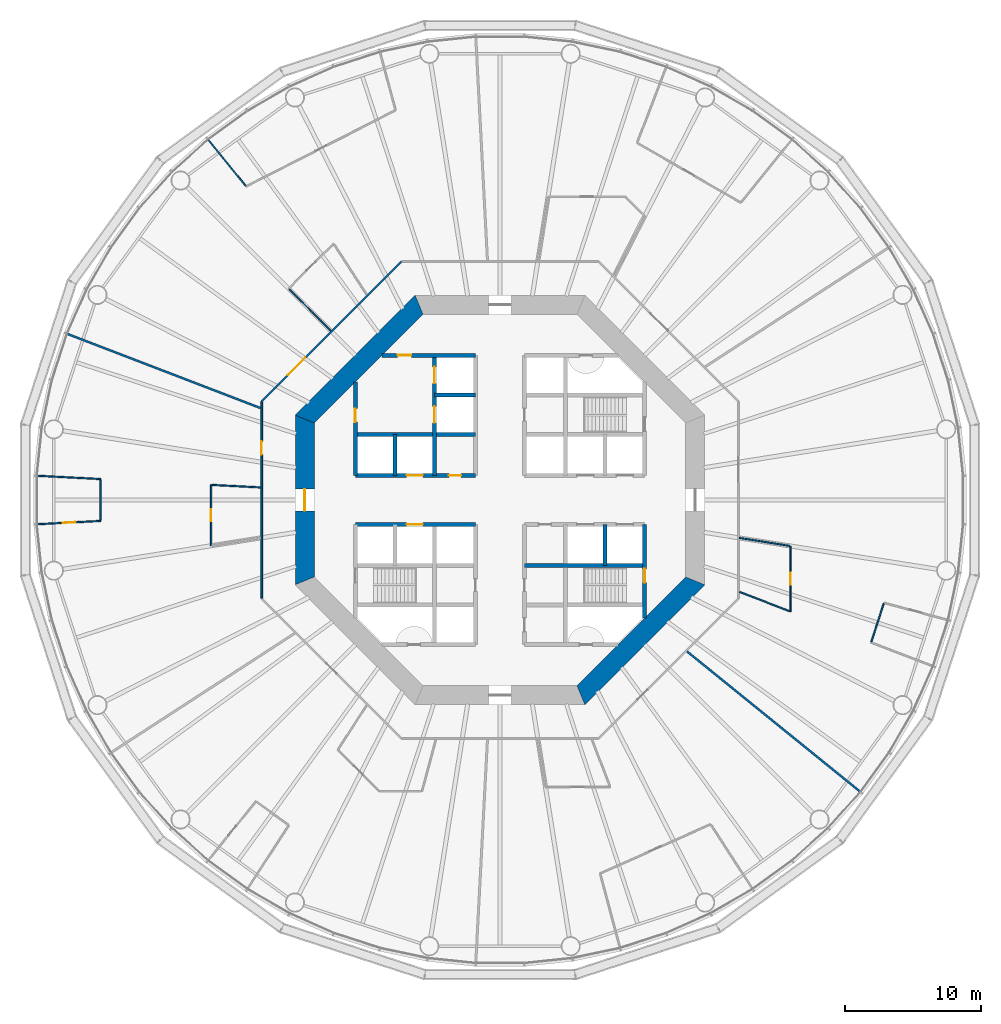
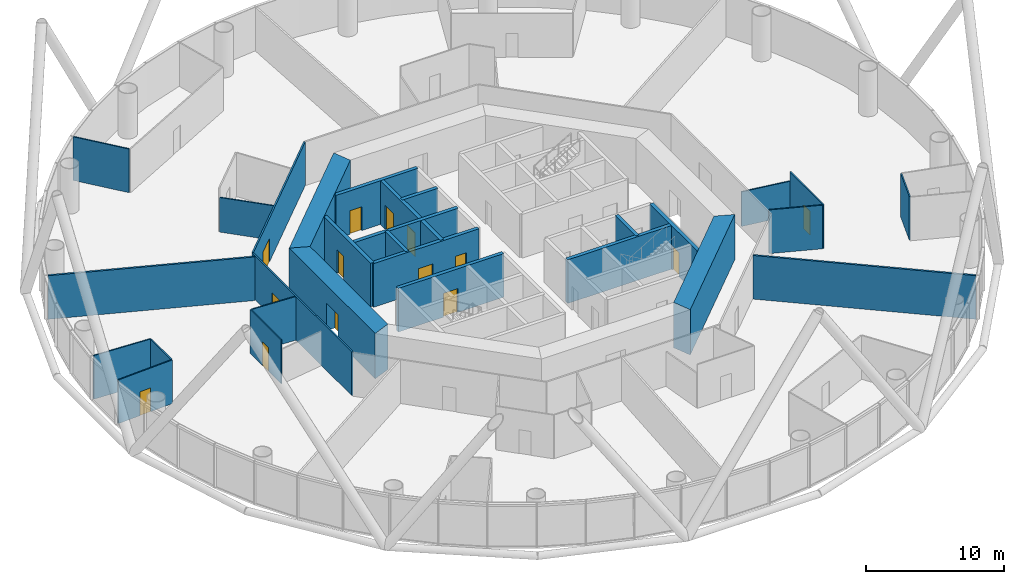
# One storey, part 4 of 13: 29 walls, 14 doors, 14 openings.
"""IFC4 building model written with IfcOpenShell, lengths in metres."""

from ifc_helpers import new_model, si_unit, direction, frame, frame_2d, origin, place, context, subcontext, project, spatial, polyline, rectangle, outline, extrude, material, layer, layer_set, type_object, element, fill, save


model = new_model("IFC4")

# Units and contexts
model_context = context("Model", 3, precision=1e-05, world=origin(), true_north=direction((0.0, 1.0)))
body_context = subcontext(model_context, "Body", "Model", "MODEL_VIEW")
ifc_project = project(units=[si_unit("LENGTHUNIT", "METRE"), si_unit("AREAUNIT", "SQUARE_METRE"), si_unit("VOLUMEUNIT", "CUBIC_METRE"), si_unit("PLANEANGLEUNIT", "RADIAN"), si_unit("MASSUNIT", "GRAM", prefix="KILO")], contexts=[model_context])

# Site, building, storey
site_placement = place(None, origin())
site = spatial("IfcSite", under=ifc_project, at=site_placement, CompositionType="ELEMENT")
building_placement = place(site_placement, origin())
building = spatial("IfcBuilding", under=site, at=building_placement, Name="Entoto Ring Tower", CompositionType="ELEMENT")
storey_placement = place(building_placement, frame((0.0, 0.0, 38.0)))
storey = spatial("IfcBuildingStorey", under=building, at=storey_placement, Name="L07", CompositionType="ELEMENT", Elevation=38.0)

# Wall, opening, door
ifc_material_1 = material(Name="Concrete C40/50", Category="concrete")
ifc_layer_1 = layer(ifc_material_1, 0.300048828125)
ifc_layer_set_1 = layer_set([ifc_layer_1], Name="Concrete C40/50")
wall_type_1 = type_object("IfcWallType", Name="Core enclosure wall 300 mm reinforced concrete", PredefinedType="SOLIDWALL", material=ifc_layer_set_1)
wall_1_placement = place(storey_placement, frame((100.60009765625, 71.36669921875, 0.0), z_axis=(0.0, 0.0, 1.0), x_axis=(0.0, 1.0, 0.0)))
wall_1 = element("IfcWall", 1, at=wall_1_placement, inside=storey, type_object=wall_type_1, Name="wall-L07-001", PredefinedType="SOLIDWALL", context=body_context, shape_type="SweptSolid", body=[
    extrude(rectangle(XDim=6.833251953125, YDim=0.300048828125, at=frame_2d((3.41650390625, 0.0))), origin(), (0.0, 0.0, 1.0), 3.85009765625),
])
opening_1_placement = place(wall_1_placement, frame((2.583251953125, 0.0, 0.0)))
opening_1 = element("IfcOpeningElement", 2, at=opening_1_placement, cuts=wall_1, Name="Opening K-61", PredefinedType="OPENING", context=body_context, shape_type="SweptSolid", body=[
    extrude(rectangle(XDim=1.0, YDim=2.10009765625, at=frame_2d((0.5, 1.050048828125))), frame((0.0, 0.16015625, 0.0), z_axis=(0.0, -1.0, 0.0), x_axis=(1.0, 0.0, 0.0)), (0.0, 0.0, 1.0), 0.320068359375),
])
ifc_material_2 = material(Name="Steel door leaf, fire rated", Category="steel")
ifc_layer_2 = layer(ifc_material_2, 0.050048828125)
ifc_layer_set_2 = layer_set([ifc_layer_2], Name="Steel door leaf, fire rated")
door_type_1 = type_object("IfcDoorType", Name="Fire door FD60 1000 x 2100 single leaf", OperationType="NOTDEFINED", PredefinedType="DOOR", material=ifc_layer_set_2)
door_1_placement = place(opening_1_placement, origin())
door_1 = element("IfcDoor", 3, at=door_1_placement, inside=storey, type_object=door_type_1, Name="Door K-61", OperationType="SINGLE_SWING_RIGHT", OverallHeight=2.10009765625, OverallWidth=1.0, PredefinedType="DOOR", context=body_context, shape_type="SweptSolid", body=[
    extrude(rectangle(XDim=1.0, YDim=2.10009765625, at=frame_2d((0.5, 1.050048828125))), frame((0.0, 0.02490234375, 0.0), z_axis=(0.0, -1.0, 0.0), x_axis=(1.0, 0.0, 0.0)), (0.0, 0.0, 1.0), 0.050048828125),
])
fill(opening_1, door_1)

# Wall
wall_2_placement = place(storey_placement, frame((97.699951171875, 75.199951171875, 0.0), z_axis=(0.0, 0.0, 1.0), x_axis=(0.0, 1.0, 0.0)))
element("IfcWall", 4, at=wall_2_placement, inside=storey, type_object=wall_type_1, Name="wall-L07-003", PredefinedType="SOLIDWALL", context=body_context, shape_type="SweptSolid", body=[
    extrude(rectangle(XDim=3.0, YDim=0.300048828125, at=frame_2d((1.5, 0.0))), origin(), (0.0, 0.0, 1.0), 3.85009765625),
])

# Wall, openings, doors
wall_3_placement = place(storey_placement, frame((85.199951171875, 81.800048828125, 0.0), z_axis=(0.0, 0.0, 1.0), x_axis=(0.0, 1.0, 0.0)))
wall_3 = element("IfcWall", 5, at=wall_3_placement, inside=storey, type_object=wall_type_1, Name="wall-L07-012", PredefinedType="SOLIDWALL", context=body_context, shape_type="SweptSolid", body=[
    extrude(rectangle(XDim=8.800048828125, YDim=0.300048828125, at=frame_2d((4.39990234375, 0.0))), origin(), (0.0, 0.0, 1.0), 3.85009765625),
])
opening_2_placement = place(wall_3_placement, frame((3.85009765625, 0.0, 0.0)))
opening_2 = element("IfcOpeningElement", 6, at=opening_2_placement, cuts=wall_3, Name="Opening LD", PredefinedType="OPENING", context=body_context, shape_type="SweptSolid", body=[
    extrude(rectangle(XDim=1.199951171875, YDim=2.10009765625, at=frame_2d((0.60009765625, 1.050048828125))), frame((0.0, 0.16015625, 0.0), z_axis=(0.0, -1.0, 0.0), x_axis=(1.0, 0.0, 0.0)), (0.0, 0.0, 1.0), 0.320068359375),
])
opening_3_placement = place(wall_3_placement, frame((6.75, 0.0, 0.0)))
opening_3 = element("IfcOpeningElement", 7, at=opening_3_placement, cuts=wall_3, Name="Opening LD", PredefinedType="OPENING", context=body_context, shape_type="SweptSolid", body=[
    extrude(rectangle(XDim=1.199951171875, YDim=2.10009765625, at=frame_2d((0.60009765625, 1.050048828125))), frame((0.0, 0.16015625, 0.0), z_axis=(0.0, -1.0, 0.0), x_axis=(1.0, 0.0, 0.0)), (0.0, 0.0, 1.0), 0.320068359375),
])
ifc_material_3 = material(Name="Steel and glass door leaf", Category="steel")
ifc_layer_3 = layer(ifc_material_3, 0.050048828125)
ifc_layer_set_3 = layer_set([ifc_layer_3], Name="Steel and glass door leaf")
door_type_2 = type_object("IfcDoorType", Name="Landing door 1200 x 2100 sliding", OperationType="DOUBLE_DOOR_SLIDING", PredefinedType="DOOR", material=ifc_layer_set_3)
door_2_placement = place(opening_2_placement, origin())
door_2 = element("IfcDoor", 8, at=door_2_placement, inside=storey, type_object=door_type_2, Name="Landing door FF1", OperationType="SLIDING_TO_RIGHT", OverallHeight=2.10009765625, OverallWidth=1.199951171875, PredefinedType="DOOR", context=body_context, shape_type="SweptSolid", body=[
    extrude(rectangle(XDim=1.199951171875, YDim=2.10009765625, at=frame_2d((0.60009765625, 1.050048828125))), frame((0.0, 0.02490234375, 0.0), z_axis=(0.0, -1.0, 0.0), x_axis=(1.0, 0.0, 0.0)), (0.0, 0.0, 1.0), 0.050048828125),
])
fill(opening_2, door_2)
door_3_placement = place(opening_3_placement, origin())
door_3 = element("IfcDoor", 9, at=door_3_placement, inside=storey, type_object=door_type_2, Name="Landing door FF2", OperationType="SLIDING_TO_RIGHT", OverallHeight=2.10009765625, OverallWidth=1.199951171875, PredefinedType="DOOR", context=body_context, shape_type="SweptSolid", body=[
    extrude(rectangle(XDim=1.199951171875, YDim=2.10009765625, at=frame_2d((0.60009765625, 1.050048828125))), frame((0.0, 0.02490234375, 0.0), z_axis=(0.0, -1.0, 0.0), x_axis=(1.0, 0.0, 0.0)), (0.0, 0.0, 1.0), 0.050048828125),
])
fill(opening_3, door_3)

# Wall
wall_4_placement = place(storey_placement, frame((82.300048828125, 81.800048828125, 0.0), z_axis=(0.0, 0.0, 1.0), x_axis=(0.0, 1.0, 0.0)))
element("IfcWall", 10, at=wall_4_placement, inside=storey, type_object=wall_type_1, Name="wall-L07-014", PredefinedType="SOLIDWALL", context=body_context, shape_type="SweptSolid", body=[
    extrude(rectangle(XDim=3.0, YDim=0.300048828125, at=frame_2d((1.5, 0.0))), origin(), (0.0, 0.0, 1.0), 3.85009765625),
])

# Wall, opening, door
wall_5_placement = place(storey_placement, frame((79.39990234375, 81.800048828125, 0.0), z_axis=(0.0, 0.0, 1.0), x_axis=(0.0, 1.0, 0.0)))
wall_5 = element("IfcWall", 11, at=wall_5_placement, inside=storey, type_object=wall_type_1, Name="wall-L07-016", PredefinedType="SOLIDWALL", context=body_context, shape_type="SweptSolid", body=[
    extrude(rectangle(XDim=6.833251953125, YDim=0.300048828125, at=frame_2d((3.41650390625, 0.0))), origin(), (0.0, 0.0, 1.0), 3.85009765625),
])
opening_4_placement = place(wall_5_placement, frame((3.89990234375, 0.0, 0.0)))
opening_4 = element("IfcOpeningElement", 12, at=opening_4_placement, cuts=wall_5, Name="Opening K-23", PredefinedType="OPENING", context=body_context, shape_type="SweptSolid", body=[
    extrude(rectangle(XDim=1.0, YDim=2.10009765625, at=frame_2d((0.5, 1.050048828125))), frame((0.0, 0.16015625, 0.0), z_axis=(0.0, -1.0, 0.0), x_axis=(1.0, 0.0, 0.0)), (0.0, 0.0, 1.0), 0.320068359375),
])
door_4_placement = place(opening_4_placement, frame((1.0, 0.0, 0.0), z_axis=(0.0, 0.0, 1.0), x_axis=(-1.0, 0.0, 0.0)))
door_4 = element("IfcDoor", 13, at=door_4_placement, inside=storey, type_object=door_type_1, Name="Door K-23", OperationType="SINGLE_SWING_LEFT", OverallHeight=2.10009765625, OverallWidth=1.0, PredefinedType="DOOR", context=body_context, shape_type="SweptSolid", body=[
    extrude(rectangle(XDim=1.0, YDim=2.10009765625, at=frame_2d((0.5, 1.050048828125))), frame((0.0, 0.02490234375, 0.0), z_axis=(0.0, -1.0, 0.0), x_axis=(1.0, 0.0, 0.0)), (0.0, 0.0, 1.0), 0.050048828125),
])
fill(opening_4, door_4)

# Wall
wall_6_placement = place(storey_placement, frame((91.800048828125, 75.199951171875, 0.0), z_axis=(0.0, 0.0, 1.0), x_axis=(1.0, 0.0, 0.0)))
element("IfcWall", 14, at=wall_6_placement, inside=storey, type_object=wall_type_1, Name="wall-L07-022", PredefinedType="SOLIDWALL", context=body_context, shape_type="SweptSolid", body=[
    extrude(rectangle(XDim=8.800048828125, YDim=0.300048828125, at=frame_2d((4.39990234375, 0.0))), origin(), (0.0, 0.0, 1.0), 3.85009765625),
])

# Wall, opening, door
wall_7_placement = place(storey_placement, frame((79.39990234375, 78.199951171875, 0.0), z_axis=(0.0, 0.0, 1.0), x_axis=(1.0, 0.0, 0.0)))
wall_7 = element("IfcWall", 15, at=wall_7_placement, inside=storey, type_object=wall_type_1, Name="wall-L07-023", PredefinedType="SOLIDWALL", context=body_context, shape_type="SweptSolid", body=[
    extrude(rectangle(XDim=8.800048828125, YDim=0.300048828125, at=frame_2d((4.39990234375, 0.0))), origin(), (0.0, 0.0, 1.0), 3.85009765625),
])
opening_5_placement = place(wall_7_placement, frame((3.75, 0.0, 0.0)))
opening_5 = element("IfcOpeningElement", 16, at=opening_5_placement, cuts=wall_7, Name="Opening LD", PredefinedType="OPENING", context=body_context, shape_type="SweptSolid", body=[
    extrude(rectangle(XDim=1.199951171875, YDim=2.10009765625, at=frame_2d((0.60009765625, 1.050048828125))), frame((0.0, 0.16015625, 0.0), z_axis=(0.0, -1.0, 0.0), x_axis=(1.0, 0.0, 0.0)), (0.0, 0.0, 1.0), 0.320068359375),
])
door_5_placement = place(opening_5_placement, origin())
door_5 = element("IfcDoor", 17, at=door_5_placement, inside=storey, type_object=door_type_2, Name="Landing door LB6-LR", OperationType="SLIDING_TO_RIGHT", OverallHeight=2.10009765625, OverallWidth=1.199951171875, PredefinedType="DOOR", context=body_context, shape_type="SweptSolid", body=[
    extrude(rectangle(XDim=1.199951171875, YDim=2.10009765625, at=frame_2d((0.60009765625, 1.050048828125))), frame((0.0, 0.02490234375, 0.0), z_axis=(0.0, -1.0, 0.0), x_axis=(1.0, 0.0, 0.0)), (0.0, 0.0, 1.0), 0.050048828125),
])
fill(opening_5, door_5)

# Wall, openings, doors
wall_8_placement = place(storey_placement, frame((79.39990234375, 81.800048828125, 0.0), z_axis=(0.0, 0.0, 1.0), x_axis=(1.0, 0.0, 0.0)))
wall_8 = element("IfcWall", 18, at=wall_8_placement, inside=storey, type_object=wall_type_1, Name="wall-L07-025", PredefinedType="SOLIDWALL", context=body_context, shape_type="SweptSolid", body=[
    extrude(rectangle(XDim=8.800048828125, YDim=0.300048828125, at=frame_2d((4.39990234375, 0.0))), origin(), (0.0, 0.0, 1.0), 3.85009765625),
])
opening_6_placement = place(wall_8_placement, frame((3.75, 0.0, 0.0)))
opening_6 = element("IfcOpeningElement", 19, at=opening_6_placement, cuts=wall_8, Name="Opening LD", PredefinedType="OPENING", context=body_context, shape_type="SweptSolid", body=[
    extrude(rectangle(XDim=1.199951171875, YDim=2.10009765625, at=frame_2d((0.60009765625, 1.050048828125))), frame((0.0, 0.16015625, 0.0), z_axis=(0.0, -1.0, 0.0), x_axis=(1.0, 0.0, 0.0)), (0.0, 0.0, 1.0), 0.320068359375),
])
opening_7_placement = place(wall_8_placement, frame((6.85009765625, 0.0, 0.0)))
opening_7 = element("IfcOpeningElement", 20, at=opening_7_placement, cuts=wall_8, Name="Opening K-15", PredefinedType="OPENING", context=body_context, shape_type="SweptSolid", body=[
    extrude(rectangle(XDim=0.89990234375, YDim=2.10009765625, at=frame_2d((0.449951171875, 1.050048828125))), frame((0.0, 0.16015625, 0.0), z_axis=(0.0, -1.0, 0.0), x_axis=(1.0, 0.0, 0.0)), (0.0, 0.0, 1.0), 0.320068359375),
])
ifc_material_4 = material(Name="Steel door leaf, fire rated", Category="steel")
ifc_layer_4 = layer(ifc_material_4, 0.050048828125)
ifc_layer_set_4 = layer_set([ifc_layer_4], Name="Steel door leaf, fire rated")
door_type_3 = type_object("IfcDoorType", Name="Core door 900 x 2100 single leaf", OperationType="NOTDEFINED", PredefinedType="DOOR", material=ifc_layer_set_4)
door_6_placement = place(opening_7_placement, frame((0.89990234375, 0.0, 0.0), z_axis=(0.0, 0.0, 1.0), x_axis=(-1.0, 0.0, 0.0)))
door_6 = element("IfcDoor", 21, at=door_6_placement, inside=storey, type_object=door_type_3, Name="Door K-15", OperationType="SINGLE_SWING_RIGHT", OverallHeight=2.10009765625, OverallWidth=0.89990234375, PredefinedType="DOOR", context=body_context, shape_type="SweptSolid", body=[
    extrude(rectangle(XDim=0.89990234375, YDim=2.10009765625, at=frame_2d((0.449951171875, 1.050048828125))), frame((0.0, 0.02490234375, 0.0), z_axis=(0.0, -1.0, 0.0), x_axis=(1.0, 0.0, 0.0)), (0.0, 0.0, 1.0), 0.050048828125),
])
fill(opening_7, door_6)
door_7_placement = place(opening_6_placement, origin())
door_7 = element("IfcDoor", 22, at=door_7_placement, inside=storey, type_object=door_type_2, Name="Landing door LB3-LR", OperationType="SLIDING_TO_RIGHT", OverallHeight=2.10009765625, OverallWidth=1.199951171875, PredefinedType="DOOR", context=body_context, shape_type="SweptSolid", body=[
    extrude(rectangle(XDim=1.199951171875, YDim=2.10009765625, at=frame_2d((0.60009765625, 1.050048828125))), frame((0.0, 0.02490234375, 0.0), z_axis=(0.0, -1.0, 0.0), x_axis=(1.0, 0.0, 0.0)), (0.0, 0.0, 1.0), 0.050048828125),
])
fill(opening_6, door_7)

# Walls
wall_9_placement = place(storey_placement, frame((79.39990234375, 84.800048828125, 0.0), z_axis=(0.0, 0.0, 1.0), x_axis=(1.0, 0.0, 0.0)))
element("IfcWall", 23, at=wall_9_placement, inside=storey, type_object=wall_type_1, Name="wall-L07-027", PredefinedType="SOLIDWALL", context=body_context, shape_type="SweptSolid", body=[
    extrude(rectangle(XDim=8.800048828125, YDim=0.300048828125, at=frame_2d((4.39990234375, 0.0))), origin(), (0.0, 0.0, 1.0), 3.85009765625),
])
wall_10_placement = place(storey_placement, frame((85.199951171875, 87.699951171875, 0.0), z_axis=(0.0, 0.0, 1.0), x_axis=(1.0, 0.0, 0.0)))
element("IfcWall", 24, at=wall_10_placement, inside=storey, type_object=wall_type_1, Name="wall-L07-029", PredefinedType="SOLIDWALL", context=body_context, shape_type="SweptSolid", body=[
    extrude(rectangle(XDim=3.0, YDim=0.300048828125, at=frame_2d((1.5, 0.0))), origin(), (0.0, 0.0, 1.0), 3.85009765625),
])

# Wall, opening, door
wall_11_placement = place(storey_placement, frame((81.36669921875, 90.60009765625, 0.0), z_axis=(0.0, 0.0, 1.0), x_axis=(1.0, 0.0, 0.0)))
wall_11 = element("IfcWall", 25, at=wall_11_placement, inside=storey, type_object=wall_type_1, Name="wall-L07-031", PredefinedType="SOLIDWALL", context=body_context, shape_type="SweptSolid", body=[
    extrude(rectangle(XDim=6.833251953125, YDim=0.300048828125, at=frame_2d((3.41650390625, 0.0))), origin(), (0.0, 0.0, 1.0), 3.85009765625),
])
opening_8_placement = place(wall_11_placement, frame((1.13330078125, 0.0, 0.0)))
opening_8 = element("IfcOpeningElement", 26, at=opening_8_placement, cuts=wall_11, Name="Opening K-73", PredefinedType="OPENING", context=body_context, shape_type="SweptSolid", body=[
    extrude(rectangle(XDim=1.0, YDim=2.10009765625, at=frame_2d((0.5, 1.050048828125))), frame((0.0, 0.16015625, 0.0), z_axis=(0.0, -1.0, 0.0), x_axis=(1.0, 0.0, 0.0)), (0.0, 0.0, 1.0), 0.320068359375),
])
door_8_placement = place(opening_8_placement, frame((1.0, 0.0, 0.0), z_axis=(0.0, 0.0, 1.0), x_axis=(-1.0, 0.0, 0.0)))
door_8 = element("IfcDoor", 27, at=door_8_placement, inside=storey, type_object=door_type_1, Name="Door K-73", OperationType="SINGLE_SWING_RIGHT", OverallHeight=2.10009765625, OverallWidth=1.0, PredefinedType="DOOR", context=body_context, shape_type="SweptSolid", body=[
    extrude(rectangle(XDim=1.0, YDim=2.10009765625, at=frame_2d((0.5, 1.050048828125))), frame((0.0, 0.02490234375, 0.0), z_axis=(0.0, -1.0, 0.0), x_axis=(1.0, 0.0, 0.0)), (0.0, 0.0, 1.0), 0.050048828125),
])
fill(opening_8, door_8)

# Wall
ifc_material_5 = material(Name="Concrete C60/75", Category="concrete")
ifc_layer_5 = layer(ifc_material_5, 1.39990234375)
ifc_layer_set_5 = layer_set([ifc_layer_5], Name="Concrete C60/75")
wall_type_2 = type_object("IfcWallType", Name="Core shear wall 1400 mm reinforced concrete C60/75", PredefinedType="SHEAR", material=ifc_layer_set_5)
wall_12_placement = place(storey_placement, frame((84.07666015625, 94.300048828125, 0.0), z_axis=(0.0, 0.0, 1.0), x_axis=(-0.707106781187, -0.707106781187, 0.0)))
element("IfcWall", 28, at=wall_12_placement, inside=storey, type_object=wall_type_2, Name="wall-L07-core-3", PredefinedType="SHEAR", context=body_context, shape_type="SweptSolid", body=[
    extrude(outline(polyline([(-0.2900390625, -0.699951171875), (12.136474609375, -0.699951171875), (11.556396484375, 0.699951171875), (0.2900390625, 0.699951171875), (-0.2900390625, -0.699951171875)])), origin(), (0.0, 0.0, 1.0), 4.0),
])

# Wall, opening, door
wall_13_placement = place(storey_placement, frame((75.699951171875, 85.92333984375, 0.0), z_axis=(0.0, 0.0, 1.0), x_axis=(0.0, -1.0, 0.0)))
wall_13 = element("IfcWall", 29, at=wall_13_placement, inside=storey, type_object=wall_type_2, Name="wall-L07-core-4", PredefinedType="SHEAR", context=body_context, shape_type="SweptSolid", body=[
    extrude(outline(polyline([(-0.2900390625, -0.699951171875), (12.13671875, -0.699951171875), (11.556640625, 0.699951171875), (0.2900390625, 0.699951171875), (-0.2900390625, -0.699951171875)])), origin(), (0.0, 0.0, 1.0), 4.0),
])
opening_9_placement = place(wall_13_placement, frame((5.123291015625, 0.0, 0.0)))
opening_9 = element("IfcOpeningElement", 30, at=opening_9_placement, cuts=wall_13, Name="Opening K-03", PredefinedType="OPENING", context=body_context, shape_type="SweptSolid", body=[
    extrude(rectangle(XDim=1.60009765625, YDim=2.39990234375, at=frame_2d((0.800048828125, 1.199951171875))), frame((0.0, 0.7099609375, 0.0), z_axis=(0.0, -1.0, 0.0), x_axis=(1.0, 0.0, 0.0)), (0.0, 0.0, 1.0), 1.419921875),
])
ifc_material_6 = material(Name="Steel door leaf, fire rated", Category="steel")
ifc_layer_6 = layer(ifc_material_6, 0.050048828125)
ifc_layer_set_6 = layer_set([ifc_layer_6], Name="Steel door leaf, fire rated")
door_type_4 = type_object("IfcDoorType", Name="Entrance door FD60 1600 x 2400 double leaf", OperationType="DOUBLE_DOOR_SINGLE_SWING", PredefinedType="DOOR", material=ifc_layer_set_6)
door_9_placement = place(opening_9_placement, origin())
door_9 = element("IfcDoor", 31, at=door_9_placement, inside=storey, type_object=door_type_4, Name="Entrance door K-03", OperationType="DOUBLE_DOOR_SINGLE_SWING", OverallHeight=2.39990234375, OverallWidth=1.60009765625, PredefinedType="DOOR", context=body_context, shape_type="SweptSolid", body=[
    extrude(rectangle(XDim=1.60009765625, YDim=2.39990234375, at=frame_2d((0.800048828125, 1.199951171875))), frame((0.0, 0.02490234375, 0.0), z_axis=(0.0, -1.0, 0.0), x_axis=(1.0, 0.0, 0.0)), (0.0, 0.0, 1.0), 0.050048828125),
])
fill(opening_9, door_9)

# Wall
wall_14_placement = place(storey_placement, frame((95.92333984375, 65.699951171875, 0.0), z_axis=(0.0, 0.0, 1.0), x_axis=(0.707106781187, 0.707106781187, 0.0)))
element("IfcWall", 32, at=wall_14_placement, inside=storey, type_object=wall_type_2, Name="wall-L07-core-7", PredefinedType="SHEAR", context=body_context, shape_type="SweptSolid", body=[
    extrude(outline(polyline([(-0.2900390625, -0.699951171875), (12.136474609375, -0.699951171875), (11.556396484375, 0.699951171875), (0.2900390625, 0.699951171875), (-0.2900390625, -0.699951171875)])), origin(), (0.0, 0.0, 1.0), 4.0),
])

# Wall, opening, door
ifc_material_7 = material(Name="Fire-resisting plasterboard on steel studs", Category="steel")
ifc_layer_7 = layer(ifc_material_7, 0.125)
ifc_layer_set_7 = layer_set([ifc_layer_7], Name="Fire-resisting plasterboard on steel studs")
wall_type_3 = type_object("IfcWallType", Name="Corridor wall 125 mm one-hour plasterboard on steel studs", PredefinedType="PARTITIONING", material=ifc_layer_set_7)
wall_15_placement = place(storey_placement, frame((72.53759765625, 87.233154296875, 0.0), z_axis=(0.0, 0.0, 1.0), x_axis=(0.707106781187, 0.707106781187, 0.0)))
wall_15 = element("IfcWall", 33, at=wall_15_placement, inside=storey, type_object=wall_type_3, Name="partition-L07-001", PredefinedType="PARTITIONING", context=body_context, shape_type="SweptSolid", body=[
    extrude(rectangle(XDim=14.46630859375, YDim=0.125, at=frame_2d((7.233154296875, 0.0))), origin(), (0.0, 0.0, 1.0), 3.85009765625),
])
opening_10_placement = place(wall_15_placement, frame((2.716796875, 0.0, 0.0)))
opening_10 = element("IfcOpeningElement", 34, at=opening_10_placement, cuts=wall_15, Name="Opening A03-D13", PredefinedType="OPENING", context=body_context, shape_type="SweptSolid", body=[
    extrude(rectangle(XDim=1.800048828125, YDim=2.10009765625, at=frame_2d((0.89990234375, 1.050048828125))), frame((0.0, 0.072509765625, 0.0), z_axis=(0.0, -1.0, 0.0), x_axis=(1.0, 0.0, 0.0)), (0.0, 0.0, 1.0), 0.14501953125),
])
ifc_material_8 = material(Name="Fire-resisting timber door set", Category="wood")
door_type_5 = type_object("IfcDoorType", Name="Door 1800 x 2100 double leaf FD30S fire door", OperationType="DOUBLE_DOOR_SINGLE_SWING", PredefinedType="DOOR", material=ifc_material_8)
door_10_placement = place(opening_10_placement, origin())
door_10 = element("IfcDoor", 35, at=door_10_placement, inside=storey, type_object=door_type_5, Name="Door A03-D13", OperationType="DOUBLE_DOOR_SINGLE_SWING", OverallHeight=2.10009765625, OverallWidth=1.800048828125, PredefinedType="DOOR", context=body_context, shape_type="SweptSolid", body=[
    extrude(rectangle(XDim=1.800048828125, YDim=2.10009765625, at=frame_2d((0.89990234375, 1.050048828125))), frame((0.0, 0.02490234375, 0.0), z_axis=(0.0, -1.0, 0.0), x_axis=(1.0, 0.0, 0.0)), (0.0, 0.0, 1.0), 0.050048828125),
])
fill(opening_10, door_10)

wall_16_placement = place(storey_placement, frame((72.53759765625, 72.810791015625, 0.0), z_axis=(0.0, 0.0, 1.0), x_axis=(0.0, 1.0, 0.0)))
wall_16 = element("IfcWall", 36, at=wall_16_placement, inside=storey, type_object=wall_type_3, Name="partition-L07-005", PredefinedType="PARTITIONING", context=body_context, shape_type="SweptSolid", body=[
    extrude(rectangle(XDim=14.37841796875, YDim=0.125, at=frame_2d((7.189208984375, 0.0))), origin(), (0.0, 0.0, 1.0), 3.85009765625),
])
opening_11_placement = place(wall_16_placement, frame((10.498291015625, 0.0, 0.0)))
opening_11 = element("IfcOpeningElement", 37, at=opening_11_placement, cuts=wall_16, Name="Opening A03-D16", PredefinedType="OPENING", context=body_context, shape_type="SweptSolid", body=[
    extrude(rectangle(XDim=1.0, YDim=2.10009765625, at=frame_2d((0.5, 1.050048828125))), frame((0.0, 0.072509765625, 0.0), z_axis=(0.0, -1.0, 0.0), x_axis=(1.0, 0.0, 0.0)), (0.0, 0.0, 1.0), 0.14501953125),
])
ifc_material_9 = material(Name="Fire-resisting timber door set", Category="wood")
door_type_6 = type_object("IfcDoorType", Name="Door 1000 x 2100 single leaf FD30S fire door", OperationType="NOTDEFINED", PredefinedType="DOOR", material=ifc_material_9)
door_11_placement = place(opening_11_placement, origin())
door_11 = element("IfcDoor", 38, at=door_11_placement, inside=storey, type_object=door_type_6, Name="Door A03-D16", OperationType="SINGLE_SWING_LEFT", OverallHeight=2.10009765625, OverallWidth=1.0, PredefinedType="DOOR", context=body_context, shape_type="SweptSolid", body=[
    extrude(rectangle(XDim=1.0, YDim=2.10009765625, at=frame_2d((0.5, 1.050048828125))), frame((0.0, 0.02490234375, 0.0), z_axis=(0.0, -1.0, 0.0), x_axis=(1.0, 0.0, 0.0)), (0.0, 0.0, 1.0), 0.050048828125),
])
fill(opening_11, door_11)

ifc_material_10 = material(Name="Plasterboard on steel studs", Category="steel")
ifc_layer_8 = layer(ifc_material_10, 0.10009765625)
ifc_layer_set_8 = layer_set([ifc_layer_8], Name="Plasterboard on steel studs")
wall_type_4 = type_object("IfcWallType", Name="Partition 100 mm plasterboard on steel studs", PredefinedType="PARTITIONING", material=ifc_layer_set_8)
wall_17_placement = place(storey_placement, frame((111.282470703125, 71.830322265625, 0.0), z_axis=(0.0, 0.0, 1.0), x_axis=(0.0, 1.0, 0.0)))
wall_17 = element("IfcWall", 39, at=wall_17_placement, inside=storey, type_object=wall_type_4, Name="partition-L07-029", PredefinedType="PARTITIONING", context=body_context, shape_type="SweptSolid", body=[
    extrude(rectangle(XDim=4.798828125, YDim=0.10009765625, at=frame_2d((2.3994140625, 0.0))), origin(), (0.0, 0.0, 1.0), 3.85009765625),
])
opening_12_placement = place(wall_17_placement, frame((1.949462890625, 0.0, 0.0)))
opening_12 = element("IfcOpeningElement", 40, at=opening_12_placement, cuts=wall_17, Name="Opening A03-D08", PredefinedType="OPENING", context=body_context, shape_type="SweptSolid", body=[
    extrude(rectangle(XDim=0.89990234375, YDim=2.10009765625, at=frame_2d((0.449951171875, 1.050048828125))), frame((0.0, 0.06005859375, 0.0), z_axis=(0.0, -1.0, 0.0), x_axis=(1.0, 0.0, 0.0)), (0.0, 0.0, 1.0), 0.1201171875),
])
ifc_material_11 = material(Name="Veneered timber door leaf in timber frame", Category="wood")
door_type_7 = type_object("IfcDoorType", Name="Door 900 x 2100 single leaf timber veneer", OperationType="NOTDEFINED", PredefinedType="DOOR", material=ifc_material_11)
door_12_placement = place(opening_12_placement, origin())
door_12 = element("IfcDoor", 41, at=door_12_placement, inside=storey, type_object=door_type_7, Name="Door A03-D08", OperationType="SINGLE_SWING_LEFT", OverallHeight=2.10009765625, OverallWidth=0.89990234375, PredefinedType="DOOR", context=body_context, shape_type="SweptSolid", body=[
    extrude(rectangle(XDim=0.89990234375, YDim=2.10009765625, at=frame_2d((0.449951171875, 1.050048828125))), frame((0.0, 0.02490234375, 0.0), z_axis=(0.0, -1.0, 0.0), x_axis=(1.0, 0.0, 0.0)), (0.0, 0.0, 1.0), 0.050048828125),
])
fill(opening_12, door_12)

wall_18_placement = place(storey_placement, frame((56.1064453125, 78.2236328125, 0.0), z_axis=(0.0, 0.0, 1.0), x_axis=(0.998628708708, 0.052351715762, 0.0)))
wall_18 = element("IfcWall", 42, at=wall_18_placement, inside=storey, type_object=wall_type_4, Name="partition-L07-032", PredefinedType="PARTITIONING", context=body_context, shape_type="SweptSolid", body=[
    extrude(rectangle(XDim=4.64013671875, YDim=0.10009765625, at=frame_2d((2.320068359375, 0.0))), origin(), (0.0, 0.0, 1.0), 3.85009765625),
])
opening_13_placement = place(wall_18_placement, frame((1.8701171875, 0.0, 0.0)))
opening_13 = element("IfcOpeningElement", 43, at=opening_13_placement, cuts=wall_18, Name="Opening A03-D18", PredefinedType="OPENING", context=body_context, shape_type="SweptSolid", body=[
    extrude(rectangle(XDim=0.89990234375, YDim=2.10009765625, at=frame_2d((0.449951171875, 1.050048828125))), frame((0.0, 0.06005859375, 0.0), z_axis=(0.0, -1.0, 0.0), x_axis=(1.0, 0.0, 0.0)), (0.0, 0.0, 1.0), 0.1201171875),
])
door_13_placement = place(opening_13_placement, origin())
door_13 = element("IfcDoor", 44, at=door_13_placement, inside=storey, type_object=door_type_7, Name="Door A03-D18", OperationType="SINGLE_SWING_LEFT", OverallHeight=2.10009765625, OverallWidth=0.89990234375, PredefinedType="DOOR", context=body_context, shape_type="SweptSolid", body=[
    extrude(rectangle(XDim=0.89990234375, YDim=2.10009765625, at=frame_2d((0.449951171875, 1.050048828125))), frame((0.0, 0.02490234375, 0.0), z_axis=(0.0, -1.0, 0.0), x_axis=(1.0, 0.0, 0.0)), (0.0, 0.0, 1.0), 0.050048828125),
])
fill(opening_13, door_13)

# Wall
wall_19_placement = place(storey_placement, frame((60.740234375, 81.533447265625, 0.0), z_axis=(0.0, 0.0, 1.0), x_axis=(-0.998628708708, 0.052351715762, 0.0)))
element("IfcWall", 45, at=wall_19_placement, inside=storey, type_object=wall_type_4, Name="partition-L07-033", PredefinedType="PARTITIONING", context=body_context, shape_type="SweptSolid", body=[
    extrude(rectangle(XDim=4.64013671875, YDim=0.10009765625, at=frame_2d((2.320068359375, 0.0))), origin(), (0.0, 0.0, 1.0), 3.85009765625),
])

# Wall, opening, door
wall_20_placement = place(storey_placement, frame((68.83740234375, 76.648193359375, 0.0), z_axis=(0.0, 0.0, 1.0), x_axis=(0.0, 1.0, 0.0)))
wall_20 = element("IfcWall", 46, at=wall_20_placement, inside=storey, type_object=wall_type_4, Name="partition-L07-035", PredefinedType="PARTITIONING", context=body_context, shape_type="SweptSolid", body=[
    extrude(rectangle(XDim=4.4609375, YDim=0.10009765625, at=frame_2d((2.23046875, 0.0))), origin(), (0.0, 0.0, 1.0), 3.85009765625),
])
opening_14_placement = place(wall_20_placement, frame((1.780517578125, 0.0, 0.0)))
opening_14 = element("IfcOpeningElement", 47, at=opening_14_placement, cuts=wall_20, Name="Opening A03-D17", PredefinedType="OPENING", context=body_context, shape_type="SweptSolid", body=[
    extrude(rectangle(XDim=0.89990234375, YDim=2.10009765625, at=frame_2d((0.449951171875, 1.050048828125))), frame((0.0, 0.06005859375, 0.0), z_axis=(0.0, -1.0, 0.0), x_axis=(1.0, 0.0, 0.0)), (0.0, 0.0, 1.0), 0.1201171875),
])
door_14_placement = place(opening_14_placement, frame((0.89990234375, 0.0, 0.0), z_axis=(0.0, 0.0, 1.0), x_axis=(-1.0, 0.0, 0.0)))
door_14 = element("IfcDoor", 48, at=door_14_placement, inside=storey, type_object=door_type_7, Name="Door A03-D17", OperationType="SINGLE_SWING_RIGHT", OverallHeight=2.10009765625, OverallWidth=0.89990234375, PredefinedType="DOOR", context=body_context, shape_type="SweptSolid", body=[
    extrude(rectangle(XDim=0.89990234375, YDim=2.10009765625, at=frame_2d((0.449951171875, 1.050048828125))), frame((0.0, 0.02490234375, 0.0), z_axis=(0.0, -1.0, 0.0), x_axis=(1.0, 0.0, 0.0)), (0.0, 0.0, 1.0), 0.050048828125),
])
fill(opening_14, door_14)

# Walls
wall_21_placement = place(storey_placement, frame((71.36669921875, 103.010498046875, 0.0), z_axis=(0.0, 0.0, 1.0), x_axis=(-0.62936523768, 0.777109643229, 0.0)))
element("IfcWall", 49, at=wall_21_placement, inside=storey, type_object=wall_type_4, Name="partition-L07-038", PredefinedType="PARTITIONING", context=body_context, shape_type="SweptSolid", body=[
    extrude(rectangle(XDim=4.3310546875, YDim=0.10009765625, at=frame_2d((2.16552734375, 0.0))), origin(), (0.0, 0.0, 1.0), 3.85009765625),
])
wall_22_placement = place(storey_placement, frame((111.214599609375, 71.8564453125, 0.0), z_axis=(0.0, 0.0, 1.0), x_axis=(-0.933566202027, 0.358405003358, 0.0)))
element("IfcWall", 50, at=wall_22_placement, inside=storey, type_object=wall_type_4, Name="partition-L07-040", PredefinedType="PARTITIONING", context=body_context, shape_type="SweptSolid", body=[
    extrude(rectangle(XDim=3.93310546875, YDim=0.10009765625, at=frame_2d((1.966552734375, 0.0))), origin(), (0.0, 0.0, 1.0), 3.85009765625),
])
wall_23_placement = place(storey_placement, frame((72.472412109375, 80.918701171875, 0.0), z_axis=(0.0, 0.0, 1.0), x_axis=(-0.998633016136, 0.052269485204, 0.0)))
element("IfcWall", 51, at=wall_23_placement, inside=storey, type_object=wall_type_4, Name="partition-L07-046", PredefinedType="PARTITIONING", context=body_context, shape_type="SweptSolid", body=[
    extrude(rectangle(XDim=3.587158203125, YDim=0.10009765625, at=frame_2d((1.79345703125, 0.0))), origin(), (0.0, 0.0, 1.0), 3.85009765625),
])
wall_24_placement = place(storey_placement, frame((60.740234375, 78.5166015625, 0.0), z_axis=(0.0, 0.0, 1.0), x_axis=(0.0, 1.0, 0.0)))
element("IfcWall", 52, at=wall_24_placement, inside=storey, type_object=wall_type_4, Name="partition-L07-049", PredefinedType="PARTITIONING", context=body_context, shape_type="SweptSolid", body=[
    extrude(rectangle(XDim=2.966796875, YDim=0.10009765625, at=frame_2d((1.4833984375, 0.0))), origin(), (0.0, 0.0, 1.0), 3.85009765625),
])
wall_25_placement = place(storey_placement, frame((117.201416015625, 69.61181640625, 0.0), z_axis=(0.0, 0.0, 1.0), x_axis=(0.308964359137, 0.95107361691, 0.0)))
element("IfcWall", 53, at=wall_25_placement, inside=storey, type_object=wall_type_4, Name="partition-L07-050", PredefinedType="PARTITIONING", context=body_context, shape_type="SweptSolid", body=[
    extrude(rectangle(XDim=2.9482421875, YDim=0.10009765625, at=frame_2d((1.47412109375, 0.0))), origin(), (0.0, 0.0, 1.0), 3.85009765625),
])
ifc_material_12 = material(Name="Plasterboard on steel studs", Category="steel")
ifc_layer_9 = layer(ifc_material_12, 0.10009765625)
ifc_layer_set_9 = layer_set([ifc_layer_9], Name="Plasterboard on steel studs")
wall_type_5 = type_object("IfcWallType", Name="Partition 100 mm plasterboard on steel studs, 3050 mm high", PredefinedType="PARTITIONING", material=ifc_layer_set_9)
wall_26_placement = place(storey_placement, frame((77.60791015625, 92.39208984375, 0.0), z_axis=(0.0, 0.0, 1.0), x_axis=(-0.707106781187, 0.707106781187, 0.0)))
element("IfcWall", 54, at=wall_26_placement, inside=storey, type_object=wall_type_5, Name="partition-L07-036", PredefinedType="PARTITIONING", context=body_context, shape_type="SweptSolid", body=[
    extrude(rectangle(XDim=4.3271484375, YDim=0.10009765625, at=frame_2d((2.16357421875, 0.0))), origin(), (0.0, 0.0, 1.0), 3.050048828125),
])
wall_27_placement = place(storey_placement, frame((111.23388671875, 76.636962890625, 0.0), z_axis=(0.0, 0.0, 1.0), x_axis=(-0.987689428902, 0.156427593588, 0.0)))
element("IfcWall", 55, at=wall_27_placement, inside=storey, type_object=wall_type_5, Name="partition-L07-043", PredefinedType="PARTITIONING", context=body_context, shape_type="SweptSolid", body=[
    extrude(rectangle(XDim=3.747314453125, YDim=0.10009765625, at=frame_2d((1.87353515625, 0.0))), origin(), (0.0, 0.0, 1.0), 3.050048828125),
])
ifc_material_13 = material(Name="Fire-resisting acoustic plasterboard on steel studs", Category="steel")
ifc_layer_10 = layer(ifc_material_13, 0.14990234375)
ifc_layer_set_10 = layer_set([ifc_layer_10], Name="Fire-resisting acoustic plasterboard on steel studs")
wall_type_6 = type_object("IfcWallType", Name="Party wall 150 mm one-hour acoustic plasterboard on steel studs", PredefinedType="PARTITIONING", material=ifc_layer_set_10)
wall_28_placement = place(storey_placement, frame((116.376220703125, 58.640869140625, 0.0), z_axis=(0.0, 0.0, 1.0), x_axis=(-0.777139938165, 0.629327829123, 0.0)))
element("IfcWall", 56, at=wall_28_placement, inside=storey, type_object=wall_type_6, Name="partition-L07-011", PredefinedType="PARTITIONING", context=body_context, shape_type="SweptSolid", body=[
    extrude(rectangle(XDim=16.310546875, YDim=0.14990234375, at=frame_2d((8.1552734375, 0.0))), origin(), (0.0, 0.0, 1.0), 3.85009765625),
])
wall_29_placement = place(storey_placement, frame((72.4482421875, 86.737548828125, 0.0), z_axis=(0.0, 0.0, 1.0), x_axis=(-0.933580645435, 0.358367379191, 0.0)))
element("IfcWall", 57, at=wall_29_placement, inside=storey, type_object=wall_type_6, Name="partition-L07-014", PredefinedType="PARTITIONING", context=body_context, shape_type="SweptSolid", body=[
    extrude(rectangle(XDim=15.1396484375, YDim=0.14990234375, at=frame_2d((7.56982421875, 0.0))), origin(), (0.0, 0.0, 1.0), 3.85009765625),
])

save(model, "model.ifc")
